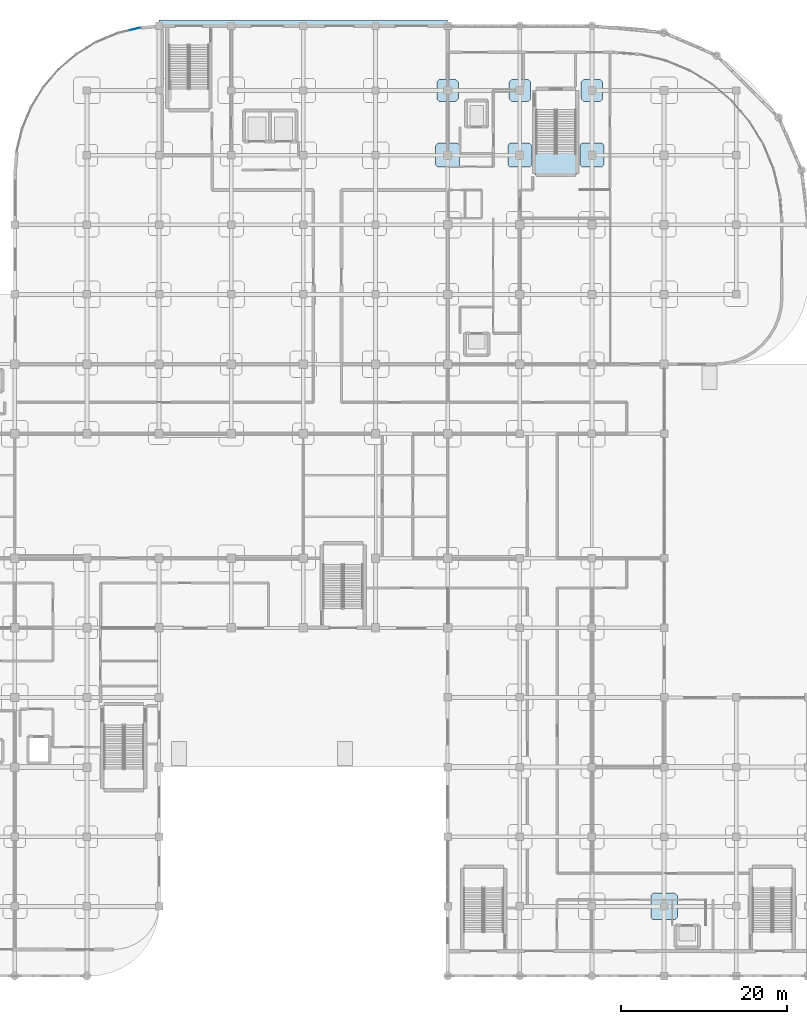
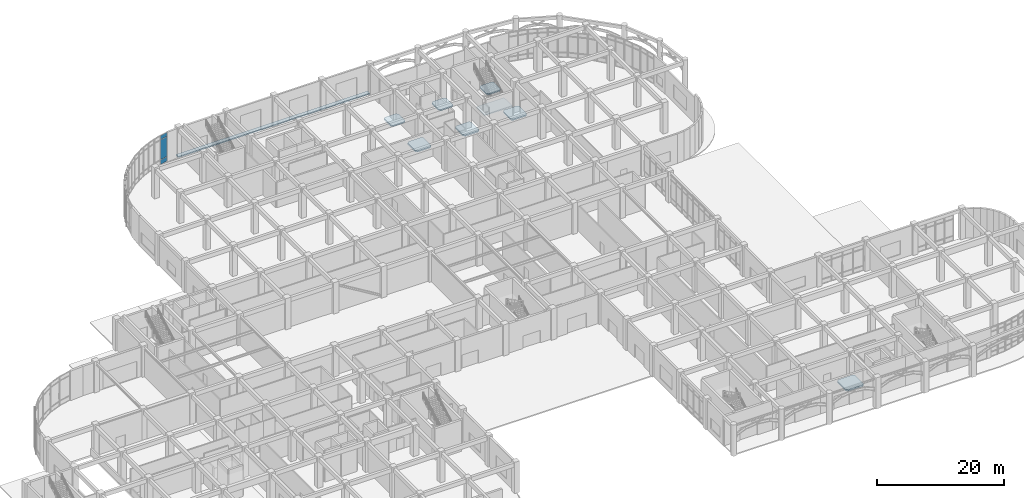
# One storey, part 55 of 82: 9 slabs, 3 plates, 2 elements without a shape of their own.
"""IFC4 building model written with IfcOpenShell, lengths in metres."""

from ifc_helpers import new_model, si_unit, derived_unit, direction, frame, origin, origin_2d, place, context, subcontext, project, spatial, polyline, rectangle, outline, extrude, material, layer, layer_set, type_object, element, aggregate, save


model = new_model("IFC4")

# Units and contexts
model_context = context("Model", 3, precision=1e-05, world=origin(), true_north=direction((0.0, 1.0)))
body_context = subcontext(model_context, "Body", "Model", "MODEL_VIEW")
ifc_project = project(units=[si_unit("LENGTHUNIT", "METRE"), si_unit("AREAUNIT", "SQUARE_METRE"), si_unit("VOLUMEUNIT", "CUBIC_METRE"), si_unit("PLANEANGLEUNIT", "RADIAN"), si_unit("MASSUNIT", "GRAM", prefix="KILO"), derived_unit("THERMALTRANSMITTANCEUNIT", [(si_unit("MASSUNIT", "GRAM", prefix="KILO"), 1), (si_unit("TIMEUNIT", "SECOND"), -3), (si_unit("THERMODYNAMICTEMPERATUREUNIT", "KELVIN"), -1)])], contexts=[model_context])

# Site, building, storey
site_placement = place(None, origin())
site = spatial("IfcSite", under=ifc_project, at=site_placement, CompositionType="ELEMENT")
building_placement = place(site_placement, origin())
building = spatial("IfcBuilding", under=site, at=building_placement, Name="Qinzheling Arcade Emporium", CompositionType="ELEMENT")
storey_placement = place(building_placement, origin())
storey = spatial("IfcBuildingStorey", under=building, at=storey_placement, Name="L01", CompositionType="ELEMENT", Elevation=0.0)

# Slabs
ifc_material_1 = material(Name="Concrete C40", Category="concrete")
ifc_layer_1 = layer(ifc_material_1, 0.235107421875, Name="Concrete C40", Category="concrete")
ifc_layer_set_1 = layer_set([ifc_layer_1], Name="Concrete C40")
slab_type_1 = type_object("IfcSlabType", Name="Column Head Drop Panel 2600x2600x235 C40", PredefinedType="USERDEFINED", material=ifc_layer_set_1)
slab_1_placement = place(storey_placement, frame((0.0, 0.0, -0.574951171875)))
element("IfcSlab", 1, at=slab_1_placement, inside=storey, type_object=slab_type_1, Name="Column Drop Panel DP-L01-13-N", ObjectType="DROP_PANEL", PredefinedType="USERDEFINED", context=body_context, shape_type="SweptSolid", body=[
    extrude(outline(polyline([(103.3798828125, 105.5), (105.419921875, 105.5), (105.699951171875, 105.780029296875), (105.699951171875, 107.820068359375), (105.419921875, 108.10009765625), (103.3798828125, 108.10009765625), (103.10009765625, 107.820068359375), (103.10009765625, 105.780029296875), (103.3798828125, 105.5)])), origin(), (0.0, 0.0, 1.0), 0.23486328125),
])
slab_2_placement = place(storey_placement, frame((0.0, 0.0, -0.574951171875)))
element("IfcSlab", 2, at=slab_2_placement, inside=storey, type_object=slab_type_1, Name="Column Drop Panel DP-L01-14-N", ObjectType="DROP_PANEL", PredefinedType="USERDEFINED", context=body_context, shape_type="SweptSolid", body=[
    extrude(outline(polyline([(112.080078125, 105.5), (114.1201171875, 105.5), (114.39990234375, 105.780029296875), (114.39990234375, 107.820068359375), (114.1201171875, 108.10009765625), (112.080078125, 108.10009765625), (111.800048828125, 107.820068359375), (111.800048828125, 105.780029296875), (112.080078125, 105.5)])), origin(), (0.0, 0.0, 1.0), 0.23486328125),
])
slab_3_placement = place(storey_placement, frame((0.0, 0.0, -0.574951171875)))
element("IfcSlab", 3, at=slab_3_placement, inside=storey, type_object=slab_type_1, Name="Column Drop Panel DP-L01-15-N", ObjectType="DROP_PANEL", PredefinedType="USERDEFINED", context=body_context, shape_type="SweptSolid", body=[
    extrude(outline(polyline([(120.780029296875, 105.5), (122.820068359375, 105.5), (123.10009765625, 105.780029296875), (123.10009765625, 107.820068359375), (122.820068359375, 108.10009765625), (120.780029296875, 108.10009765625), (120.5, 107.820068359375), (120.5, 105.780029296875), (120.780029296875, 105.5)])), origin(), (0.0, 0.0, 1.0), 0.23486328125),
])
ifc_layer_2 = layer(ifc_material_1, 0.27001953125, Name="Concrete C40", Category="concrete")
ifc_layer_set_2 = layer_set([ifc_layer_2], Name="Concrete C40")
slab_type_2 = type_object("IfcSlabType", Name="Column Head Drop Panel 2900x2900x270 C40", PredefinedType="USERDEFINED", material=ifc_layer_set_2)
slab_4_placement = place(storey_placement, frame((0.0, 0.0, -0.610107421875)))
element("IfcSlab", 4, at=slab_4_placement, inside=storey, type_object=slab_type_2, Name="Column Drop Panel DP-L01-13-M", ObjectType="DROP_PANEL", PredefinedType="USERDEFINED", context=body_context, shape_type="SweptSolid", body=[
    extrude(outline(polyline([(103.22998046875, 97.550048828125), (105.570068359375, 97.550048828125), (105.85009765625, 97.830078125), (105.85009765625, 100.169921875), (105.570068359375, 100.449951171875), (103.22998046875, 100.449951171875), (102.949951171875, 100.169921875), (102.949951171875, 97.830078125), (103.22998046875, 97.550048828125)])), origin(), (0.0, 0.0, 1.0), 0.27001953125),
])
slab_5_placement = place(storey_placement, frame((0.0, 0.0, -0.610107421875)))
element("IfcSlab", 5, at=slab_5_placement, inside=storey, type_object=slab_type_2, Name="Column Drop Panel DP-L01-14-M", ObjectType="DROP_PANEL", PredefinedType="USERDEFINED", context=body_context, shape_type="SweptSolid", body=[
    extrude(outline(polyline([(111.929931640625, 97.550048828125), (114.27001953125, 97.550048828125), (114.550048828125, 97.830078125), (114.550048828125, 100.169921875), (114.27001953125, 100.449951171875), (111.929931640625, 100.449951171875), (111.64990234375, 100.169921875), (111.64990234375, 97.830078125), (111.929931640625, 97.550048828125)])), origin(), (0.0, 0.0, 1.0), 0.27001953125),
])
slab_6_placement = place(storey_placement, frame((0.0, 0.0, -0.610107421875)))
element("IfcSlab", 6, at=slab_6_placement, inside=storey, type_object=slab_type_2, Name="Column Drop Panel DP-L01-15-M", ObjectType="DROP_PANEL", PredefinedType="USERDEFINED", context=body_context, shape_type="SweptSolid", body=[
    extrude(outline(polyline([(120.6298828125, 97.550048828125), (122.969970703125, 97.550048828125), (123.25, 97.830078125), (123.25, 100.169921875), (122.969970703125, 100.449951171875), (120.6298828125, 100.449951171875), (120.35009765625, 100.169921875), (120.35009765625, 97.830078125), (120.6298828125, 97.550048828125)])), origin(), (0.0, 0.0, 1.0), 0.27001953125),
])
ifc_layer_3 = layer(ifc_material_1, 0.300048828125, Name="Concrete C40", Category="concrete")
ifc_layer_set_3 = layer_set([ifc_layer_3], Name="Concrete C40")
slab_type_3 = type_object("IfcSlabType", Name="Column Head Drop Panel 3200x3200x300 C40", PredefinedType="USERDEFINED", material=ifc_layer_set_3)
slab_7_placement = place(storey_placement, frame((0.0, 0.0, -0.639892578125)))
element("IfcSlab", 7, at=slab_7_placement, inside=storey, type_object=slab_type_3, Name="Column Drop Panel DP-L01-16-B", ObjectType="DROP_PANEL", PredefinedType="USERDEFINED", context=body_context, shape_type="SweptSolid", body=[
    extrude(outline(polyline([(129.179931640625, 6.800048828125), (131.820068359375, 6.800048828125), (132.10009765625, 7.080078125), (132.10009765625, 9.719970703125), (131.820068359375, 10.0), (129.179931640625, 10.0), (128.89990234375, 9.719970703125), (128.89990234375, 7.080078125), (129.179931640625, 6.800048828125)])), origin(), (0.0, 0.0, 1.0), 0.2998046875),
])
ifc_layer_4 = layer(ifc_material_1, 0.219970703125, Name="Concrete C40", Category="concrete")
ifc_layer_set_4 = layer_set([ifc_layer_4], Name="Concrete C40")
slab_type_4 = type_object("IfcSlabType", Name="Exterior Entry Driveway Paving Slab 220 C40", PredefinedType="FLOOR", material=ifc_layer_set_4)
slab_8_placement = place(storey_placement, frame((0.0, 0.0, -0.219970703125)))
element("IfcSlab", 8, at=slab_8_placement, inside=storey, type_object=slab_type_4, Name="Arcade and Court Paving SLB-L01-COURT-N-DOCK", PredefinedType="FLOOR", context=body_context, shape_type="SweptSolid", body=[
    extrude(outline(polyline([(104.39990234375, 114.60009765625), (104.39990234375, 115.300048828125), (69.60009765625, 115.300048828125), (69.60009765625, 114.60009765625), (104.39990234375, 114.60009765625)])), origin(), (0.0, 0.0, 1.0), 0.219970703125),
])

# Curtain wall, plates
ifc_material_2 = material(Name="Anodised aluminium and solar-control double glazing", Category="aluminium")
ifc_layer_5 = layer(ifc_material_2, 0.159912109375, Name="Anodised aluminium and solar-control double glazing", Category="aluminium")
ifc_layer_set_5 = layer_set([ifc_layer_5], Name="Anodised aluminium and solar-control double glazing")
curtain_wall_type = type_object("IfcCurtainWallType", Name="Curved Ribbon Sales Curtain Wall", PredefinedType="NOTDEFINED", material=ifc_layer_set_5)
curtain_wall_placement = place(storey_placement, origin())
curtain_wall = element("IfcCurtainWall", 9, at=curtain_wall_placement, inside=storey, type_object=curtain_wall_type, Name="Curtain Wall CW-L01-034", PredefinedType="NOTDEFINED")
ifc_material_3 = material(Name="Laminated solar-control double glazing", Category="glass")
ifc_layer_6 = layer(ifc_material_3, 0.02392578125, Name="Laminated solar-control double glazing", Category="glass")
ifc_layer_set_6 = layer_set([ifc_layer_6], Name="Laminated solar-control double glazing")
plate_type = type_object("IfcPlateType", Name="Low-E Double Glazed Curtain Panel 24mm", PredefinedType="CURTAIN_PANEL", material=ifc_layer_set_6)
plate_1_placement = place(storey_placement, frame((66.682861328125, 114.209716796875, 0.06005859375), z_axis=(0.0, 0.0, 1.0), x_axis=(0.972390516216, 0.233359559423, 0.0)))
plate_1 = element("IfcPlate", 10, at=plate_1_placement, type_object=plate_type, Name="CW02 panel 2.1", PredefinedType="CURTAIN_PANEL", context=body_context, shape_type="SweptSolid", body=[
    extrude(rectangle(XDim=1.322021484375, YDim=0.02392578125, at=origin_2d()), origin(), (0.0, 0.0, 1.0), 0.860107421875),
])
plate_2_placement = place(storey_placement, frame((66.682861328125, 114.209716796875, 0.97998046875), z_axis=(0.0, 0.0, 1.0), x_axis=(0.972390516216, 0.233359559423, 0.0)))
plate_2 = element("IfcPlate", 11, at=plate_2_placement, type_object=plate_type, Name="CW02 panel 2.2", PredefinedType="CURTAIN_PANEL", context=body_context, shape_type="SweptSolid", body=[
    extrude(rectangle(XDim=1.322021484375, YDim=0.02392578125, at=origin_2d()), origin(), (0.0, 0.0, 1.0), 3.800048828125),
])
plate_3_placement = place(storey_placement, frame((66.682861328125, 114.209716796875, 4.83984375), z_axis=(0.0, 0.0, 1.0), x_axis=(0.972390516216, 0.233359559423, 0.0)))
plate_3 = element("IfcPlate", 12, at=plate_3_placement, type_object=plate_type, Name="CW02 panel 2.3", PredefinedType="CURTAIN_PANEL", context=body_context, shape_type="SweptSolid", body=[
    extrude(rectangle(XDim=1.322021484375, YDim=0.02392578125, at=origin_2d()), origin(), (0.0, 0.0, 1.0), 0.760009765625),
])
aggregate(curtain_wall, [plate_1, plate_2, plate_3])

# Stair, slab
stair_type = type_object("IfcStairType", Name="Cast-in-Situ Dog-Leg Escape Stair H6000", PredefinedType="HALF_TURN_STAIR", material=ifc_material_1)
stair_placement = place(storey_placement, origin())
stair = element("IfcStair", 13, at=stair_placement, inside=storey, type_object=stair_type, Name="L01 ST08", PredefinedType="HALF_TURN_STAIR")
ifc_layer_7 = layer(ifc_material_1, 0.199951171875, Name="Concrete C40", Category="concrete")
ifc_layer_set_7 = layer_set([ifc_layer_7], Name="Concrete C40")
slab_type_5 = type_object("IfcSlabType", Name="Stair Half-Turn Landing Slab 200 C40", PredefinedType="LANDING", material=ifc_layer_set_7)
slab_9_placement = place(storey_placement, frame((0.0, 0.0, 2.800048828125)))
slab_9 = element("IfcSlab", 14, at=slab_9_placement, type_object=slab_type_5, Name="ST08 landing 1", PredefinedType="LANDING", context=body_context, shape_type="SweptSolid", body=[
    extrude(outline(polyline([(114.93505859375, 99.280029296875), (119.965087890625, 99.280029296875), (119.965087890625, 96.679931640625), (114.93505859375, 96.679931640625), (114.93505859375, 99.280029296875)])), origin(), (0.0, 0.0, 1.0), 0.199951171875),
])
aggregate(stair, [slab_9])

save(model, "model.ifc")
